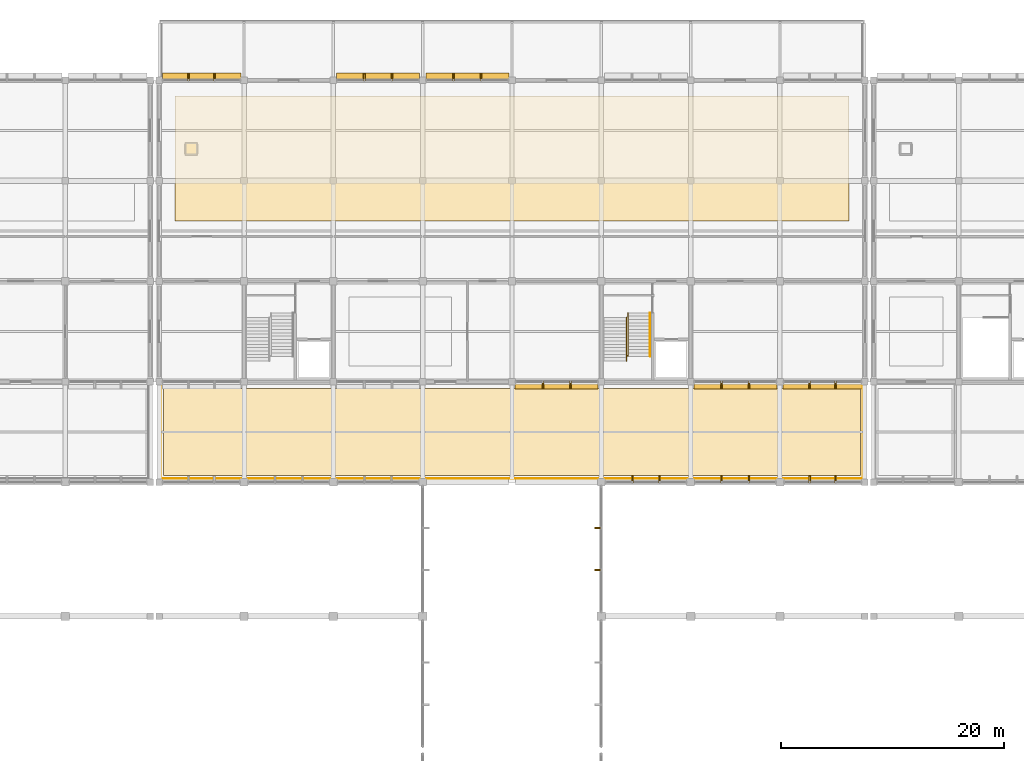
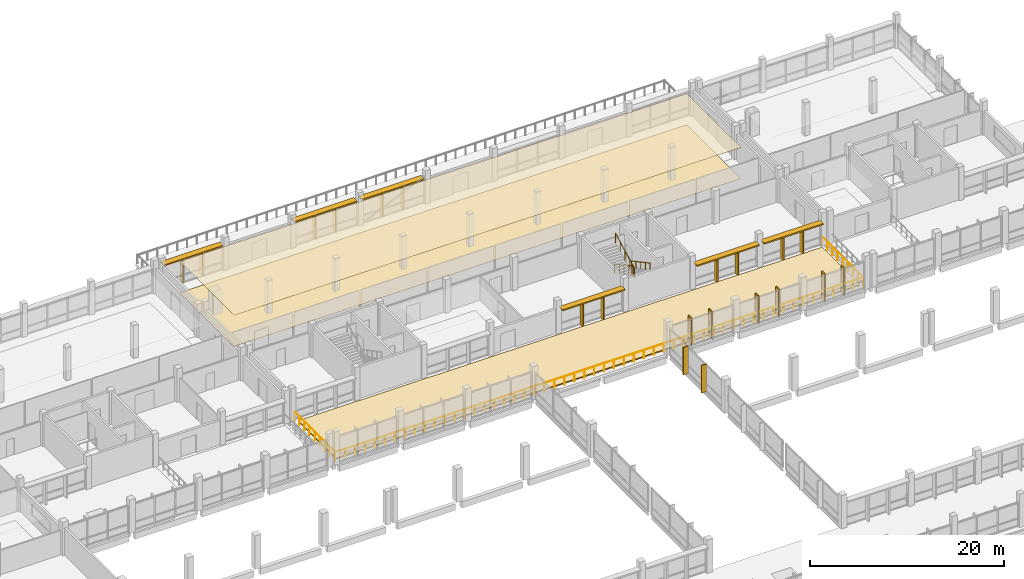
# One storey, part 68 of 70: 26 shading devices, 3 coverings, 3 railings.
"""IFC4 building model written with IfcOpenShell, lengths in metres."""

from ifc_helpers import new_model, si_unit, direction, frame, origin, origin_2d, place, context, subcontext, project, spatial, polyline, rectangle, circle, outline, extrude, material, layer, layer_set, type_object, element, save


model = new_model("IFC4")

# Units and contexts
model_context = context("Model", 3, precision=1e-05, world=origin(), true_north=direction((0.0, 1.0)))
body_context = subcontext(model_context, "Body", "Model", "MODEL_VIEW")
ifc_project = project(units=[si_unit("LENGTHUNIT", "METRE"), si_unit("AREAUNIT", "SQUARE_METRE"), si_unit("VOLUMEUNIT", "CUBIC_METRE"), si_unit("PLANEANGLEUNIT", "RADIAN"), si_unit("MASSUNIT", "GRAM", prefix="KILO"), si_unit("THERMODYNAMICTEMPERATUREUNIT", "KELVIN"), si_unit("POWERUNIT", "WATT")], contexts=[model_context])

# Site, building, storey
site_placement = place(None, origin())
site = spatial("IfcSite", under=ifc_project, at=site_placement, CompositionType="ELEMENT")
building_placement = place(site_placement, origin())
building = spatial("IfcBuilding", under=site, at=building_placement, Name="Kronsvod Quay Wholesale Market", CompositionType="ELEMENT")
storey_placement = place(building_placement, frame((0.0, 0.0, 9.0)))
storey = spatial("IfcBuildingStorey", under=building, at=storey_placement, Name="L02", CompositionType="ELEMENT", Elevation=9.0)

# Coverings
ifc_material_1 = material(Name="Perforated acoustic mineral-wool ceiling")
ifc_layer_1 = layer(ifc_material_1, 0.030029296875)
ifc_layer_set_1 = layer_set([ifc_layer_1], Name="Perforated acoustic mineral-wool ceiling")
covering_type_1 = type_object("IfcCoveringType", Name="Cov_Ceil01", PredefinedType="CEILING", material=ifc_layer_set_1)
covering_1_placement = place(storey_placement, frame((0.0, 0.0, 3.919921875)))
element("IfcCovering", 1, at=covering_1_placement, inside=storey, type_object=covering_type_1, Name="CLG-SP-L02-V5-11", PredefinedType="CEILING", context=body_context, shape_type="SweptSolid", body=[
    extrude(outline(polyline([(65.800048828125, 113.39990234375), (126.199951171875, 113.39990234375), (126.199951171875, 124.60009765625), (65.800048828125, 124.60009765625), (65.800048828125, 113.39990234375)])), origin(), (0.0, 0.0, 1.0), 0.030029296875),
])
ifc_material_2 = material(Name="Polished terrazzo concourse flooring")
ifc_layer_2 = layer(ifc_material_2, 0.01806640625)
ifc_layer_set_2 = layer_set([ifc_layer_2], Name="Polished terrazzo concourse flooring")
covering_type_2 = type_object("IfcCoveringType", Name="Cov_Floor03", PredefinedType="FLOORING", material=ifc_layer_set_2)
covering_2_placement = place(storey_placement, origin())
element("IfcCovering", 2, at=covering_2_placement, inside=storey, type_object=covering_type_2, Name="FLR-SP-L02-V5-11", PredefinedType="FLOORING", context=body_context, shape_type="SweptSolid", body=[
    extrude(outline(polyline([(65.800048828125, 113.39990234375), (126.199951171875, 113.39990234375), (126.199951171875, 124.60009765625), (65.800048828125, 124.60009765625), (65.800048828125, 113.39990234375)])), origin(), (0.0, 0.0, 1.0), 0.01806640625),
])
ifc_material_3 = material(Name="Planted green roof sedum substrate")
ifc_layer_3 = layer(ifc_material_3, 0.139892578125)
ifc_layer_set_3 = layer_set([ifc_layer_3], Name="Planted green roof sedum substrate")
covering_type_3 = type_object("IfcCoveringType", Name="Cov_GreenRoofSubstrate", PredefinedType="ROOFING", material=ifc_layer_set_3)
covering_3_placement = place(storey_placement, origin())
element("IfcCovering", 3, at=covering_3_placement, inside=storey, type_object=covering_type_3, Name="COV-GD-L02C", PredefinedType="ROOFING", context=body_context, shape_type="SweptSolid", body=[
    extrude(outline(polyline([(64.800048828125, 90.60009765625), (127.199951171875, 90.60009765625), (127.199951171875, 98.39990234375), (64.800048828125, 98.39990234375), (64.800048828125, 90.60009765625)])), origin(), (0.0, 0.0, 1.0), 0.139892578125),
])

# Railings
ifc_material_4 = material(Name="Stainless steel and laminated glass", Category="steel")
railing_type_1 = type_object("IfcRailingType", Name="Railing_Balustrade1150", PredefinedType="BALUSTRADE", material=ifc_material_4)
railing_1_placement = place(storey_placement, frame((64.550048828125, 98.800048828125, 0.0)))
element("IfcRailing", 4, at=railing_1_placement, inside=storey, type_object=railing_type_1, Name="GRD-L02-GD2", PredefinedType="BALUSTRADE", context=body_context, shape_type="SweptSolid", body=[
    extrude(circle(Radius=0.02392578125, at=origin_2d()), frame((0.0, 0.0, 1.1259765625), z_axis=(0.0, -1.0, 0.0), x_axis=(1.0, 0.0, 0.0)), (0.0, 0.0, 1.0), 8.449951171875),
    extrude(circle(Radius=0.02392578125, at=origin_2d()), frame((0.0, -8.449951171875, 1.1259765625), z_axis=(1.0, 0.0, 0.0), x_axis=(0.0, 1.0, 0.0)), (0.0, 0.0, 1.0), 62.89990234375),
    extrude(circle(Radius=0.02392578125, at=origin_2d()), frame((62.89990234375, -8.449951171875, 1.1259765625), z_axis=(0.0, 1.0, 0.0), x_axis=(-1.0, 0.0, 0.0)), (0.0, 0.0, 1.0), 8.449951171875),
    extrude(circle(Radius=0.02099609375, at=origin_2d()), origin(), (0.0, 0.0, 1.0), 1.101806640625),
    extrude(circle(Radius=0.02099609375, at=origin_2d()), frame((0.0, -1.05615234375, 0.0)), (0.0, 0.0, 1.0), 1.101806640625),
    extrude(circle(Radius=0.02099609375, at=origin_2d()), frame((0.0, -2.112548828125, 0.0)), (0.0, 0.0, 1.0), 1.101806640625),
    extrude(circle(Radius=0.02099609375, at=origin_2d()), frame((0.0, -3.168701171875, 0.0)), (0.0, 0.0, 1.0), 1.101806640625),
    extrude(circle(Radius=0.02099609375, at=origin_2d()), frame((0.0, -4.22509765625, 0.0)), (0.0, 0.0, 1.0), 1.101806640625),
    extrude(circle(Radius=0.02099609375, at=origin_2d()), frame((0.0, -5.28125, 0.0)), (0.0, 0.0, 1.0), 1.101806640625),
    extrude(circle(Radius=0.02099609375, at=origin_2d()), frame((0.0, -6.33740234375, 0.0)), (0.0, 0.0, 1.0), 1.101806640625),
    extrude(circle(Radius=0.02099609375, at=origin_2d()), frame((0.0, -7.393798828125, 0.0)), (0.0, 0.0, 1.0), 1.101806640625),
    extrude(circle(Radius=0.02099609375, at=origin_2d()), frame((0.0, -8.449951171875, 0.0)), (0.0, 0.0, 1.0), 1.101806640625),
    extrude(circle(Radius=0.02099609375, at=origin_2d()), frame((1.186767578125, -8.449951171875, 0.0)), (0.0, 0.0, 1.0), 1.101806640625),
    extrude(circle(Radius=0.02099609375, at=origin_2d()), frame((2.37353515625, -8.449951171875, 0.0)), (0.0, 0.0, 1.0), 1.101806640625),
    extrude(circle(Radius=0.02099609375, at=origin_2d()), frame((3.560302734375, -8.449951171875, 0.0)), (0.0, 0.0, 1.0), 1.101806640625),
    extrude(circle(Radius=0.02099609375, at=origin_2d()), frame((4.7470703125, -8.449951171875, 0.0)), (0.0, 0.0, 1.0), 1.101806640625),
    extrude(circle(Radius=0.02099609375, at=origin_2d()), frame((5.933837890625, -8.449951171875, 0.0)), (0.0, 0.0, 1.0), 1.101806640625),
    extrude(circle(Radius=0.02099609375, at=origin_2d()), frame((7.120849609375, -8.449951171875, 0.0)), (0.0, 0.0, 1.0), 1.101806640625),
    extrude(circle(Radius=0.02099609375, at=origin_2d()), frame((8.3076171875, -8.449951171875, 0.0)), (0.0, 0.0, 1.0), 1.101806640625),
    extrude(circle(Radius=0.02099609375, at=origin_2d()), frame((9.494384765625, -8.449951171875, 0.0)), (0.0, 0.0, 1.0), 1.101806640625),
    extrude(circle(Radius=0.02099609375, at=origin_2d()), frame((10.68115234375, -8.449951171875, 0.0)), (0.0, 0.0, 1.0), 1.101806640625),
    extrude(circle(Radius=0.02099609375, at=origin_2d()), frame((11.867919921875, -8.449951171875, 0.0)), (0.0, 0.0, 1.0), 1.101806640625),
    extrude(circle(Radius=0.02099609375, at=origin_2d()), frame((13.0546875, -8.449951171875, 0.0)), (0.0, 0.0, 1.0), 1.101806640625),
    extrude(circle(Radius=0.02099609375, at=origin_2d()), frame((14.241455078125, -8.449951171875, 0.0)), (0.0, 0.0, 1.0), 1.101806640625),
    extrude(circle(Radius=0.02099609375, at=origin_2d()), frame((15.42822265625, -8.449951171875, 0.0)), (0.0, 0.0, 1.0), 1.101806640625),
    extrude(circle(Radius=0.02099609375, at=origin_2d()), frame((16.614990234375, -8.449951171875, 0.0)), (0.0, 0.0, 1.0), 1.101806640625),
    extrude(circle(Radius=0.02099609375, at=origin_2d()), frame((17.8017578125, -8.449951171875, 0.0)), (0.0, 0.0, 1.0), 1.101806640625),
    extrude(circle(Radius=0.02099609375, at=origin_2d()), frame((18.98876953125, -8.449951171875, 0.0)), (0.0, 0.0, 1.0), 1.101806640625),
    extrude(circle(Radius=0.02099609375, at=origin_2d()), frame((20.175537109375, -8.449951171875, 0.0)), (0.0, 0.0, 1.0), 1.101806640625),
    extrude(circle(Radius=0.02099609375, at=origin_2d()), frame((21.3623046875, -8.449951171875, 0.0)), (0.0, 0.0, 1.0), 1.101806640625),
    extrude(circle(Radius=0.02099609375, at=origin_2d()), frame((22.549072265625, -8.449951171875, 0.0)), (0.0, 0.0, 1.0), 1.101806640625),
    extrude(circle(Radius=0.02099609375, at=origin_2d()), frame((23.73583984375, -8.449951171875, 0.0)), (0.0, 0.0, 1.0), 1.101806640625),
    extrude(circle(Radius=0.02099609375, at=origin_2d()), frame((24.922607421875, -8.449951171875, 0.0)), (0.0, 0.0, 1.0), 1.101806640625),
    extrude(circle(Radius=0.02099609375, at=origin_2d()), frame((26.109375, -8.449951171875, 0.0)), (0.0, 0.0, 1.0), 1.101806640625),
    extrude(circle(Radius=0.02099609375, at=origin_2d()), frame((27.296142578125, -8.449951171875, 0.0)), (0.0, 0.0, 1.0), 1.101806640625),
    extrude(circle(Radius=0.02099609375, at=origin_2d()), frame((28.48291015625, -8.449951171875, 0.0)), (0.0, 0.0, 1.0), 1.101806640625),
    extrude(circle(Radius=0.02099609375, at=origin_2d()), frame((29.669677734375, -8.449951171875, 0.0)), (0.0, 0.0, 1.0), 1.101806640625),
    extrude(circle(Radius=0.02099609375, at=origin_2d()), frame((30.8564453125, -8.449951171875, 0.0)), (0.0, 0.0, 1.0), 1.101806640625),
    extrude(circle(Radius=0.02099609375, at=origin_2d()), frame((32.04345703125, -8.449951171875, 0.0)), (0.0, 0.0, 1.0), 1.101806640625),
    extrude(circle(Radius=0.02099609375, at=origin_2d()), frame((33.230224609375, -8.449951171875, 0.0)), (0.0, 0.0, 1.0), 1.101806640625),
    extrude(circle(Radius=0.02099609375, at=origin_2d()), frame((34.4169921875, -8.449951171875, 0.0)), (0.0, 0.0, 1.0), 1.101806640625),
    extrude(circle(Radius=0.02099609375, at=origin_2d()), frame((35.603759765625, -8.449951171875, 0.0)), (0.0, 0.0, 1.0), 1.101806640625),
    extrude(circle(Radius=0.02099609375, at=origin_2d()), frame((36.79052734375, -8.449951171875, 0.0)), (0.0, 0.0, 1.0), 1.101806640625),
    extrude(circle(Radius=0.02099609375, at=origin_2d()), frame((37.977294921875, -8.449951171875, 0.0)), (0.0, 0.0, 1.0), 1.101806640625),
    extrude(circle(Radius=0.02099609375, at=origin_2d()), frame((39.1640625, -8.449951171875, 0.0)), (0.0, 0.0, 1.0), 1.101806640625),
    extrude(circle(Radius=0.02099609375, at=origin_2d()), frame((40.350830078125, -8.449951171875, 0.0)), (0.0, 0.0, 1.0), 1.101806640625),
    extrude(circle(Radius=0.02099609375, at=origin_2d()), frame((41.53759765625, -8.449951171875, 0.0)), (0.0, 0.0, 1.0), 1.101806640625),
    extrude(circle(Radius=0.02099609375, at=origin_2d()), frame((42.724365234375, -8.449951171875, 0.0)), (0.0, 0.0, 1.0), 1.101806640625),
    extrude(circle(Radius=0.02099609375, at=origin_2d()), frame((43.9111328125, -8.449951171875, 0.0)), (0.0, 0.0, 1.0), 1.101806640625),
    extrude(circle(Radius=0.02099609375, at=origin_2d()), frame((45.09814453125, -8.449951171875, 0.0)), (0.0, 0.0, 1.0), 1.101806640625),
    extrude(circle(Radius=0.02099609375, at=origin_2d()), frame((46.284912109375, -8.449951171875, 0.0)), (0.0, 0.0, 1.0), 1.101806640625),
    extrude(circle(Radius=0.02099609375, at=origin_2d()), frame((47.4716796875, -8.449951171875, 0.0)), (0.0, 0.0, 1.0), 1.101806640625),
    extrude(circle(Radius=0.02099609375, at=origin_2d()), frame((48.658447265625, -8.449951171875, 0.0)), (0.0, 0.0, 1.0), 1.101806640625),
    extrude(circle(Radius=0.02099609375, at=origin_2d()), frame((49.84521484375, -8.449951171875, 0.0)), (0.0, 0.0, 1.0), 1.101806640625),
    extrude(circle(Radius=0.02099609375, at=origin_2d()), frame((51.031982421875, -8.449951171875, 0.0)), (0.0, 0.0, 1.0), 1.101806640625),
    extrude(circle(Radius=0.02099609375, at=origin_2d()), frame((52.21875, -8.449951171875, 0.0)), (0.0, 0.0, 1.0), 1.101806640625),
    extrude(circle(Radius=0.02099609375, at=origin_2d()), frame((53.405517578125, -8.449951171875, 0.0)), (0.0, 0.0, 1.0), 1.101806640625),
    extrude(circle(Radius=0.02099609375, at=origin_2d()), frame((54.59228515625, -8.449951171875, 0.0)), (0.0, 0.0, 1.0), 1.101806640625),
    extrude(circle(Radius=0.02099609375, at=origin_2d()), frame((55.779052734375, -8.449951171875, 0.0)), (0.0, 0.0, 1.0), 1.101806640625),
    extrude(circle(Radius=0.02099609375, at=origin_2d()), frame((56.966064453125, -8.449951171875, 0.0)), (0.0, 0.0, 1.0), 1.101806640625),
    extrude(circle(Radius=0.02099609375, at=origin_2d()), frame((58.15283203125, -8.449951171875, 0.0)), (0.0, 0.0, 1.0), 1.101806640625),
    extrude(circle(Radius=0.02099609375, at=origin_2d()), frame((59.339599609375, -8.449951171875, 0.0)), (0.0, 0.0, 1.0), 1.101806640625),
    extrude(circle(Radius=0.02099609375, at=origin_2d()), frame((60.5263671875, -8.449951171875, 0.0)), (0.0, 0.0, 1.0), 1.101806640625),
    extrude(circle(Radius=0.02099609375, at=origin_2d()), frame((61.713134765625, -8.449951171875, 0.0)), (0.0, 0.0, 1.0), 1.101806640625),
    extrude(circle(Radius=0.02099609375, at=origin_2d()), frame((62.89990234375, -8.449951171875, 0.0)), (0.0, 0.0, 1.0), 1.101806640625),
    extrude(circle(Radius=0.02099609375, at=origin_2d()), frame((62.89990234375, -7.393798828125, 0.0)), (0.0, 0.0, 1.0), 1.101806640625),
    extrude(circle(Radius=0.02099609375, at=origin_2d()), frame((62.89990234375, -6.33740234375, 0.0)), (0.0, 0.0, 1.0), 1.101806640625),
    extrude(circle(Radius=0.02099609375, at=origin_2d()), frame((62.89990234375, -5.28125, 0.0)), (0.0, 0.0, 1.0), 1.101806640625),
    extrude(circle(Radius=0.02099609375, at=origin_2d()), frame((62.89990234375, -4.22509765625, 0.0)), (0.0, 0.0, 1.0), 1.101806640625),
    extrude(circle(Radius=0.02099609375, at=origin_2d()), frame((62.89990234375, -3.168701171875, 0.0)), (0.0, 0.0, 1.0), 1.101806640625),
    extrude(circle(Radius=0.02099609375, at=origin_2d()), frame((62.89990234375, -2.112548828125, 0.0)), (0.0, 0.0, 1.0), 1.101806640625),
    extrude(circle(Radius=0.02099609375, at=origin_2d()), frame((62.89990234375, -1.05615234375, 0.0)), (0.0, 0.0, 1.0), 1.101806640625),
    extrude(circle(Radius=0.02099609375, at=origin_2d()), frame((62.89990234375, 0.0, 0.0)), (0.0, 0.0, 1.0), 1.101806640625),
])
ifc_material_5 = material(Name="Stainless steel", Category="steel")
railing_type_2 = type_object("IfcRailingType", Name="Railing_Guard1200", PredefinedType="GUARDRAIL", material=ifc_material_5)
railing_2_placement = place(storey_placement, frame((106.39990234375, 105.179931640625, 0.0)))
element("IfcRailing", 5, at=railing_2_placement, inside=storey, type_object=railing_type_2, Name="ST09-L02-SLOT-GRD", PredefinedType="GUARDRAIL", context=body_context, shape_type="SweptSolid", body=[
    extrude(circle(Radius=0.02392578125, at=origin_2d()), frame((0.0, 0.0, 1.17578125), z_axis=(0.0, -0.877878551877, 0.478883334596), x_axis=(1.0, 0.0, 0.0)), (0.0, 0.0, 1.0), 4.385498046875),
    extrude(circle(Radius=0.02392578125, at=origin_2d()), frame((0.0, -3.849853515625, 3.27587890625), z_axis=(-1.0, 0.0, 0.0), x_axis=(0.0, -1.0, 0.0)), (0.0, 0.0, 1.0), 0.139892578125),
    extrude(circle(Radius=0.02392578125, at=origin_2d()), frame((-0.139892578125, -3.849853515625, 3.27587890625), z_axis=(0.0, -1.0, 0.0), x_axis=(1.0, 0.0, 0.0)), (0.0, 0.0, 1.0), 0.469970703125),
    extrude(circle(Radius=0.02392578125, at=origin_2d()), frame((-0.139892578125, -4.31982421875, 3.27587890625), z_axis=(0.0, 0.88047994924, 0.474083388219), x_axis=(-1.0, 0.0, 0.0)), (0.0, 0.0, 1.0), 4.42919921875),
    extrude(circle(Radius=0.02099609375, at=origin_2d()), origin(), (0.0, 0.0, 1.0), 1.15185546875),
    extrude(circle(Radius=0.02099609375, at=origin_2d()), frame((0.0, -0.96240234375, 0.52490234375)), (0.0, 0.0, 1.0), 1.15185546875),
    extrude(circle(Radius=0.02099609375, at=origin_2d()), frame((0.0, -1.9248046875, 1.050048828125)), (0.0, 0.0, 1.0), 1.15185546875),
    extrude(circle(Radius=0.02099609375, at=origin_2d()), frame((0.0, -2.887451171875, 1.5751953125)), (0.0, 0.0, 1.0), 1.15185546875),
    extrude(circle(Radius=0.02099609375, at=origin_2d()), frame((0.0, -3.849853515625, 2.10009765625)), (0.0, 0.0, 1.0), 1.15185546875),
    extrude(circle(Radius=0.02099609375, at=origin_2d()), frame((-0.139892578125, -3.849853515625, 2.10009765625)), (0.0, 0.0, 1.0), 1.15185546875),
    extrude(circle(Radius=0.02099609375, at=origin_2d()), frame((-0.139892578125, -4.31982421875, 2.10009765625)), (0.0, 0.0, 1.0), 1.15185546875),
    extrude(circle(Radius=0.02099609375, at=origin_2d()), frame((-0.139892578125, -3.3447265625, 2.625)), (0.0, 0.0, 1.0), 1.15185546875),
    extrude(circle(Radius=0.02099609375, at=origin_2d()), frame((-0.139892578125, -2.369873046875, 3.14990234375)), (0.0, 0.0, 1.0), 1.15185546875),
    extrude(circle(Radius=0.02099609375, at=origin_2d()), frame((-0.139892578125, -1.39501953125, 3.675048828125)), (0.0, 0.0, 1.0), 1.15185546875),
    extrude(circle(Radius=0.02099609375, at=origin_2d()), frame((-0.139892578125, -0.419921875, 4.199951171875)), (0.0, 0.0, 1.0), 1.15185546875),
])
ifc_material_6 = material(Name="Stainless steel", Category="steel")
railing_type_3 = type_object("IfcRailingType", Name="Railing_Handrail900", PredefinedType="HANDRAIL", material=ifc_material_6)
railing_3_placement = place(storey_placement, frame((108.3798828125, 105.179931640625, 0.0)))
element("IfcRailing", 6, at=railing_3_placement, inside=storey, type_object=railing_type_3, Name="ST09-L02-HDR", PredefinedType="HANDRAIL", context=body_context, shape_type="SweptSolid", body=[
    extrude(circle(Radius=0.02392578125, at=origin_2d()), frame((0.0, 0.0, 0.8759765625), z_axis=(0.0, -0.880456940745, 0.474126117709), x_axis=(1.0, 0.0, 0.0)), (0.0, 0.0, 1.0), 4.429443359375),
    extrude(circle(Radius=0.02099609375, at=origin_2d()), origin(), (0.0, 0.0, 1.0), 0.851806640625),
    extrude(circle(Radius=0.02099609375, at=origin_2d()), frame((0.0, -0.97509765625, 0.52490234375)), (0.0, 0.0, 1.0), 0.851806640625),
    extrude(circle(Radius=0.02099609375, at=origin_2d()), frame((0.0, -1.949951171875, 1.050048828125)), (0.0, 0.0, 1.0), 0.851806640625),
    extrude(circle(Radius=0.02099609375, at=origin_2d()), frame((0.0, -2.9248046875, 1.5751953125)), (0.0, 0.0, 1.0), 0.851806640625),
    extrude(circle(Radius=0.02099609375, at=origin_2d()), frame((0.0, -3.89990234375, 2.10009765625)), (0.0, 0.0, 1.0), 0.851806640625),
])

# Shading devices
ifc_material_7 = material(Name="Anodised aluminium", Category="aluminium")
shading_device_type_1 = type_object("IfcShadingDeviceType", Name="Shade_SolarFin", PredefinedType="AWNING", material=ifc_material_7)
for number, where, z_axis, x_axis, name in (
    (7, (106.78173828125, 90.280029296875, -0.02001953125), (0.0, 0.0, 1.0), (1.0, 0.0, 0.0), "SHDF-CWGX-L02-1040-900-1068"),
    (8, (109.21826171875, 90.280029296875, -0.02001953125), (0.0, 0.0, 1.0), (1.0, 0.0, 0.0), "SHDF-CWGX-L02-1040-900-1092"),
    (9, (114.78173828125, 90.280029296875, -0.02001953125), (0.0, 0.0, 1.0), (1.0, 0.0, 0.0), "SHDF-CWGX-L02-1120-900-1148"),
    (10, (117.21826171875, 90.280029296875, -0.02001953125), (0.0, 0.0, 1.0), (1.0, 0.0, 0.0), "SHDF-CWGX-L02-1120-900-1172"),
    (11, (122.6650390625, 90.280029296875, -0.02001953125), (0.0, 0.0, 1.0), (1.0, 0.0, 0.0), "SHDF-CWGX-L02-1200-900-1227"),
    (12, (124.985107421875, 90.280029296875, -0.02001953125), (0.0, 0.0, 1.0), (1.0, 0.0, 0.0), "SHDF-CWGX-L02-1200-900-1250"),
):
    element("IfcShadingDevice", number, at=place(storey_placement, frame(where, z_axis=z_axis, x_axis=x_axis)), inside=storey, type_object=shading_device_type_1, Name=name, PredefinedType="AWNING", context=body_context, shape_type="SweptSolid", body=[
        extrude(rectangle(XDim=0.139892578125, YDim=0.6201171875, at=origin_2d()), origin(), (0.0, 0.0, 1.0), 3.4599609375),
    ])
for number, where, z_axis, x_axis, name in (
    (13, (98.764892578125, 98.719970703125, -0.02001953125), (0.0, 0.0, 1.0), (1.0, 0.0, 0.0), "SHDF-CWGX-L02-960-990-988"),
    (14, (101.235107421875, 98.719970703125, -0.02001953125), (0.0, 0.0, 1.0), (1.0, 0.0, 0.0), "SHDF-CWGX-L02-960-990-1012"),
    (15, (114.764892578125, 98.719970703125, -0.02001953125), (0.0, 0.0, 1.0), (1.0, 0.0, 0.0), "SHDF-CWGX-L02-1120-990-1148"),
    (16, (117.235107421875, 98.719970703125, -0.02001953125), (0.0, 0.0, 1.0), (1.0, 0.0, 0.0), "SHDF-CWGX-L02-1120-990-1172"),
    (17, (122.631591796875, 98.719970703125, -0.02001953125), (0.0, 0.0, 1.0), (1.0, 0.0, 0.0), "SHDF-CWGX-L02-1200-990-1226"),
    (18, (124.96826171875, 98.719970703125, -0.02001953125), (0.0, 0.0, 1.0), (1.0, 0.0, 0.0), "SHDF-CWGX-L02-1200-990-1250"),
    (19, (67.03173828125, 126.280029296875, -0.02001953125), (0.0, 0.0, 1.0), (1.0, 0.0, 0.0), "SHDF-CWGX-L02-644-1260-670"),
    (20, (69.368408203125, 126.280029296875, -0.02001953125), (0.0, 0.0, 1.0), (1.0, 0.0, 0.0), "SHDF-CWGX-L02-644-1260-694"),
    (21, (82.764892578125, 126.280029296875, -0.02001953125), (0.0, 0.0, 1.0), (1.0, 0.0, 0.0), "SHDF-CWGX-L02-800-1260-828"),
    (22, (85.235107421875, 126.280029296875, -0.02001953125), (0.0, 0.0, 1.0), (1.0, 0.0, 0.0), "SHDF-CWGX-L02-800-1260-852"),
    (23, (90.764892578125, 126.280029296875, -0.02001953125), (0.0, 0.0, 1.0), (1.0, 0.0, 0.0), "SHDF-CWGX-L02-880-1260-908"),
    (24, (93.235107421875, 126.280029296875, -0.02001953125), (0.0, 0.0, 1.0), (1.0, 0.0, 0.0), "SHDF-CWGX-L02-880-1260-932"),
):
    element("IfcShadingDevice", number, at=place(storey_placement, frame(where, z_axis=z_axis, x_axis=x_axis)), inside=storey, type_object=shading_device_type_1, Name=name, PredefinedType="AWNING", context=body_context, shape_type="SweptSolid", body=[
        extrude(rectangle(XDim=0.139892578125, YDim=0.6201171875, at=origin_2d()), origin(), (0.0, 0.0, 1.0), 3.090087890625),
    ])
for number, where, z_axis, x_axis, name in (
    (25, (103.719970703125, 82.131591796875, -0.02001953125), (0.0, 0.0, 1.0), (1.0, 0.0, 0.0), "SHDF-CWGY-L02-1040-780-821"),
    (26, (103.719970703125, 85.893310546875, -0.02001953125), (0.0, 0.0, 1.0), (1.0, 0.0, 0.0), "SHDF-CWGY-L02-1040-780-859"),
):
    element("IfcShadingDevice", number, at=place(storey_placement, frame(where, z_axis=z_axis, x_axis=x_axis)), inside=storey, type_object=shading_device_type_1, Name=name, PredefinedType="AWNING", context=body_context, shape_type="SweptSolid", body=[
        extrude(rectangle(XDim=0.6201171875, YDim=0.139892578125, at=origin_2d()), origin(), (0.0, 0.0, 1.0), 3.4599609375),
    ])
ifc_material_8 = material(Name="Anodised aluminium sunshade hood", Category="aluminium")
shading_device_type_2 = type_object("IfcShadingDeviceType", Name="Shade_SunHood", PredefinedType="AWNING", material=ifc_material_8)
for number, where, z_axis, x_axis, name in (
    (27, (100.0, 98.719970703125, 2.93017578125), (0.0, 0.0, 1.0), (1.0, 0.0, 0.0), "SHDH-CWGX-L02-960-990"),
    (28, (116.0, 98.719970703125, 2.93017578125), (0.0, 0.0, 1.0), (1.0, 0.0, 0.0), "SHDH-CWGX-L02-1120-990"),
):
    element("IfcShadingDevice", number, at=place(storey_placement, frame(where, z_axis=z_axis, x_axis=x_axis)), inside=storey, type_object=shading_device_type_2, Name=name, PredefinedType="AWNING", context=body_context, shape_type="SweptSolid", body=[
        extrude(rectangle(XDim=7.429931640625, YDim=0.719970703125, at=origin_2d()), origin(), (0.0, 0.0, 1.0), 0.159912109375),
    ])
for number, where, z_axis, x_axis, name in (
    (29, (123.800048828125, 98.719970703125, 2.93017578125), (0.0, 0.0, 1.0), (1.0, 0.0, 0.0), "SHDH-CWGX-L02-1200-990"),
    (30, (68.199951171875, 126.280029296875, 2.93017578125), (0.0, 0.0, 1.0), (1.0, 0.0, 0.0), "SHDH-CWGX-L02-644-1260"),
):
    element("IfcShadingDevice", number, at=place(storey_placement, frame(where, z_axis=z_axis, x_axis=x_axis)), inside=storey, type_object=shading_device_type_2, Name=name, PredefinedType="AWNING", context=body_context, shape_type="SweptSolid", body=[
        extrude(rectangle(XDim=7.030029296875, YDim=0.719970703125, at=origin_2d()), origin(), (0.0, 0.0, 1.0), 0.159912109375),
    ])
for number, where, z_axis, x_axis, name in (
    (31, (84.0, 126.280029296875, 2.93017578125), (0.0, 0.0, 1.0), (1.0, 0.0, 0.0), "SHDH-CWGX-L02-800-1260"),
    (32, (92.0, 126.280029296875, 2.93017578125), (0.0, 0.0, 1.0), (1.0, 0.0, 0.0), "SHDH-CWGX-L02-880-1260"),
):
    element("IfcShadingDevice", number, at=place(storey_placement, frame(where, z_axis=z_axis, x_axis=x_axis)), inside=storey, type_object=shading_device_type_2, Name=name, PredefinedType="AWNING", context=body_context, shape_type="SweptSolid", body=[
        extrude(rectangle(XDim=7.429931640625, YDim=0.719970703125, at=origin_2d()), origin(), (0.0, 0.0, 1.0), 0.159912109375),
    ])

save(model, "model.ifc")
